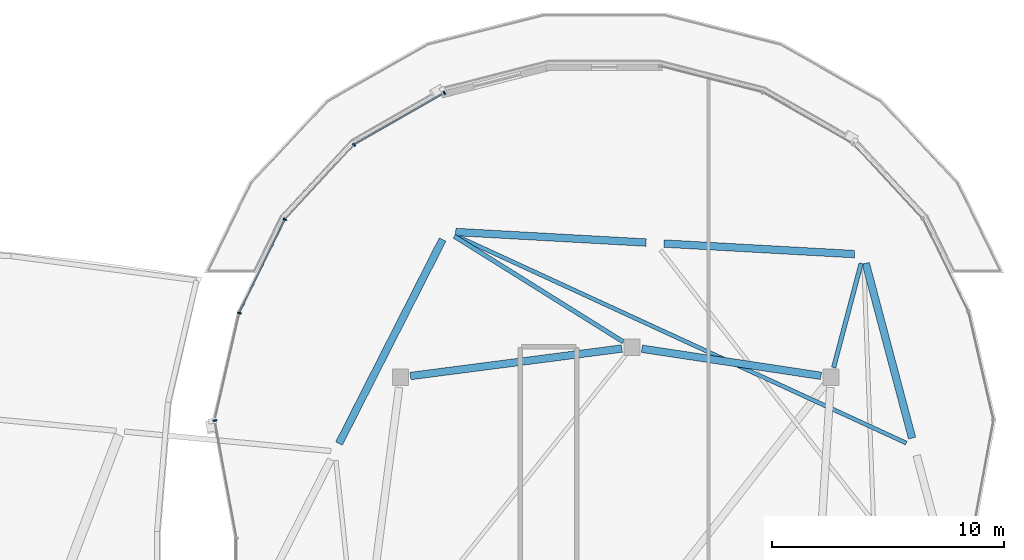
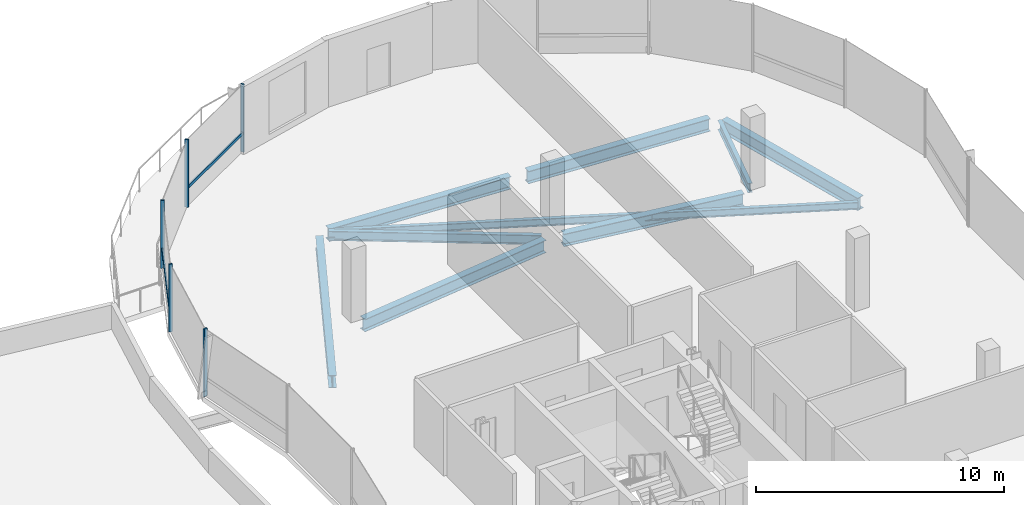
# One storey, part 16 of 31: 9 beams, 7 members, 1 element without a shape of its own.
"""IFC4 building model written with IfcOpenShell, lengths in metres."""

from ifc_helpers import new_model, si_unit, direction, frame, origin, origin_2d, place, context, subcontext, project, spatial, rectangle, i_section, extrude, material, material_profile, profile_set, type_object, element, aggregate, save


model = new_model("IFC4")

# Units and contexts
model_context = context("Model", 3, precision=1e-05, world=origin(), true_north=direction((0.0, 1.0)))
body_context = subcontext(model_context, "Body", "Model", "MODEL_VIEW")
ifc_project = project(units=[si_unit("LENGTHUNIT", "METRE"), si_unit("AREAUNIT", "SQUARE_METRE"), si_unit("VOLUMEUNIT", "CUBIC_METRE"), si_unit("PLANEANGLEUNIT", "RADIAN"), si_unit("MASSUNIT", "GRAM", prefix="KILO"), si_unit("THERMODYNAMICTEMPERATUREUNIT", "KELVIN"), si_unit("POWERUNIT", "WATT")], contexts=[model_context])

# Site, building, storey
site_placement = place(None, origin())
site = spatial("IfcSite", under=ifc_project, at=site_placement, CompositionType="ELEMENT")
building_placement = place(site_placement, origin())
building = spatial("IfcBuilding", under=site, at=building_placement, Name="Cundina Bronze Exchange", CompositionType="ELEMENT")
storey_placement = place(building_placement, frame((0.0, 0.0, 275.60009765625)))
storey = spatial("IfcBuildingStorey", under=building, at=storey_placement, Name="L73", CompositionType="ELEMENT", Elevation=275.60009765625)

# Beams
ifc_material_1 = material(Name="Steel ASTM A992 Grade 50", Category="steel")
ifc_material_profile_1 = material_profile(ifc_material_1, i_section(OverallWidth=0.19091796875, OverallDepth=0.4599609375, WebThickness=0.010009765625, FlangeThickness=0.01611328125, FilletRadius=0.011962890625, at=origin_2d()), Name="W18X55", Category="steel")
ifc_profile_set_1 = profile_set([ifc_material_profile_1], Name="Steel ASTM A992 Grade 50")
beam_type_1 = type_object("IfcBeamType", Name="BM-FLR-W18B", PredefinedType="BEAM", material=ifc_profile_set_1)
beam_1_placement = place(storey_placement, frame((41.911865234375, 9.923583984375, -0.489990234375), z_axis=(0.255383723615, 0.96683977665, 0.0), x_axis=(-0.96683977665, 0.255383723615, 0.0)))
element("IfcBeam", 1, at=beam_1_placement, inside=storey, type_object=beam_type_1, Name="L73 Leg E Chordal Floor Beam 10", PredefinedType="BEAM", context=body_context, shape_type="SweptSolid", body=[
    extrude(i_section(OverallWidth=0.19091796875, OverallDepth=0.4599609375, WebThickness=0.010009765625, FlangeThickness=0.01611328125, FilletRadius=0.011962890625, at=origin_2d()), origin(), (0.0, 0.0, 1.0), 4.655517578125),
])
beam_2_placement = place(storey_placement, frame((32.82861328125, 11.031982421875, -0.489990234375), z_axis=(-0.847983963552, 0.530021884038, 0.0), x_axis=(-0.530021884038, -0.847983963552, 0.0)))
element("IfcBeam", 2, at=beam_2_placement, inside=storey, type_object=beam_type_1, Name="L73 Leg E Chordal Floor Beam 12", PredefinedType="BEAM", context=body_context, shape_type="SweptSolid", body=[
    extrude(i_section(OverallWidth=0.19091796875, OverallDepth=0.4599609375, WebThickness=0.010009765625, FlangeThickness=0.01611328125, FilletRadius=0.011962890625, at=origin_2d()), origin(), (0.0, 0.0, 1.0), 8.608154296875),
])
ifc_material_profile_2 = material_profile(ifc_material_1, i_section(OverallWidth=0.172119140625, OverallDepth=0.35791015625, WebThickness=0.0078125, FlangeThickness=0.01318359375, FilletRadius=0.010009765625, at=origin_2d()), Name="W14X38", Category="steel")
ifc_profile_set_2 = profile_set([ifc_material_profile_2], Name="Steel ASTM A992 Grade 50")
beam_type_2 = type_object("IfcBeamType", Name="BM-JST-W14", PredefinedType="JOIST", material=ifc_profile_set_2)
beam_3_placement = place(storey_placement, frame((45.047607421875, 6.662353515625, -0.439208984375), z_axis=(-0.908356175703, 0.418197391266, 0.0), x_axis=(-0.418197391266, -0.908356175703, 0.0)))
element("IfcBeam", 3, at=beam_3_placement, inside=storey, type_object=beam_type_2, Name="L73 Leg E Lobe Floor Joist 09-12", PredefinedType="JOIST", context=body_context, shape_type="SweptSolid", body=[
    extrude(i_section(OverallWidth=0.172119140625, OverallDepth=0.35791015625, WebThickness=0.0078125, FlangeThickness=0.01318359375, FilletRadius=0.010009765625, at=origin_2d()), origin(), (0.0, 0.0, 1.0), 21.4619140625),
])
ifc_material_profile_3 = material_profile(ifc_material_1, i_section(OverallWidth=0.324951171875, OverallDepth=0.615966796875, WebThickness=0.013916015625, FlangeThickness=0.021484375, FilletRadius=0.01611328125, at=origin_2d()), Name="W24X117", Category="steel")
ifc_profile_set_3 = profile_set([ifc_material_profile_3], Name="Steel ASTM A992 Grade 50")
beam_type_3 = type_object("IfcBeamType", Name="BM-RING-W24", PredefinedType="USERDEFINED", material=ifc_profile_set_3)
beam_4_placement = place(storey_placement, frame((41.366943359375, 9.5654296875, -0.568115234375), z_axis=(-0.988764903598, 0.149478979839, 0.0), x_axis=(-0.149478979839, -0.988764903598, 0.0)))
element("IfcBeam", 4, at=beam_4_placement, inside=storey, type_object=beam_type_3, Name="L73 E Inner Structural Ring Girder 05", ObjectType="GIRDER", PredefinedType="USERDEFINED", context=body_context, shape_type="SweptSolid", body=[
    extrude(i_section(OverallWidth=0.324951171875, OverallDepth=0.615966796875, WebThickness=0.013916015625, FlangeThickness=0.021484375, FilletRadius=0.01611328125, at=origin_2d()), origin(), (0.0, 0.0, 1.0), 7.82177734375),
])
beam_5_placement = place(storey_placement, frame((32.765625, 10.743408203125, -0.568115234375), z_axis=(-0.991656498582, -0.128908451316, 0.0), x_axis=(0.128908451316, -0.991656498582, 0.0)))
element("IfcBeam", 5, at=beam_5_placement, inside=storey, type_object=beam_type_3, Name="L73 E Inner Structural Ring Girder 06", ObjectType="GIRDER", PredefinedType="USERDEFINED", context=body_context, shape_type="SweptSolid", body=[
    extrude(i_section(OverallWidth=0.324951171875, OverallDepth=0.615966796875, WebThickness=0.013916015625, FlangeThickness=0.021484375, FilletRadius=0.01611328125, at=origin_2d()), origin(), (0.0, 0.0, 1.0), 9.208251953125),
])
beam_6_placement = place(storey_placement, frame((45.300537109375, 6.875, -0.568115234375), z_axis=(-0.256212999207, 0.966620348967, 0.0), x_axis=(-0.966620348967, -0.256212999207, 0.0)))
element("IfcBeam", 6, at=beam_6_placement, inside=storey, type_object=beam_type_3, Name="L73 E Perimeter Ring Girder 09", ObjectType="GIRDER", PredefinedType="USERDEFINED", context=body_context, shape_type="SweptSolid", body=[
    extrude(i_section(OverallWidth=0.324951171875, OverallDepth=0.615966796875, WebThickness=0.013916015625, FlangeThickness=0.021484375, FilletRadius=0.01611328125, at=origin_2d()), origin(), (0.0, 0.0, 1.0), 7.810791015625),
])
for number, where, z_axis, x_axis, name in (
    (7, (42.8125, 14.821533203125, -0.568115234375), (-0.998459806018, 0.055479868117, 0.0), (-0.055479868117, -0.998459806018, 0.0), "L73 E Perimeter Ring Girder 10"),
    (8, (33.8125, 15.321533203125, -0.568115234375), (-0.998459806018, 0.055479868117, 0.0), (-0.055479868117, -0.998459806018, 0.0), "L73 E Perimeter Ring Girder 11"),
):
    element("IfcBeam", number, at=place(storey_placement, frame(where, z_axis=z_axis, x_axis=x_axis)), inside=storey, type_object=beam_type_3, Name=name, ObjectType="GIRDER", PredefinedType="USERDEFINED", context=body_context, shape_type="SweptSolid", body=[
        extrude(i_section(OverallWidth=0.324951171875, OverallDepth=0.615966796875, WebThickness=0.013916015625, FlangeThickness=0.021484375, FilletRadius=0.01611328125, at=origin_2d()), origin(), (0.0, 0.0, 1.0), 8.23779296875),
    ])
beam_7_placement = place(storey_placement, frame((25.0244140625, 15.4541015625, -0.568115234375), z_axis=(-0.452839263805, -0.891592171991, 0.0), x_axis=(0.891592171991, -0.452839263805, 0.0)))
element("IfcBeam", 9, at=beam_7_placement, inside=storey, type_object=beam_type_3, Name="L73 E Perimeter Ring Girder 12", ObjectType="GIRDER", PredefinedType="USERDEFINED", context=body_context, shape_type="SweptSolid", body=[
    extrude(i_section(OverallWidth=0.324951171875, OverallDepth=0.615966796875, WebThickness=0.013916015625, FlangeThickness=0.021484375, FilletRadius=0.01611328125, at=origin_2d()), origin(), (0.0, 0.0, 1.0), 9.879150390625),
])

# Curtain wall, members
ifc_material_2 = material(Name="Anodised Bronze Aluminium 6063-T6", Category="aluminium")
curtain_wall_type = type_object("IfcCurtainWallType", Name="CWS-CRN-TMD", PredefinedType="NOTDEFINED", material=ifc_material_2)
curtain_wall_placement = place(storey_placement, origin())
curtain_wall = element("IfcCurtainWall", 10, at=curtain_wall_placement, inside=storey, type_object=curtain_wall_type, Name="L73 CW-07 Curtain Wall Run CWR-L73-E2", PredefinedType="NOTDEFINED")
ifc_material_profile_4 = material_profile(ifc_material_2, rectangle(XDim=0.06494140625, YDim=0.159912109375, at=origin_2d()), Name="AL65X160", Category="aluminium")
ifc_profile_set_4 = profile_set([ifc_material_profile_4], Name="Anodised Bronze Aluminium 6063-T6")
member_type_1 = type_object("IfcMemberType", Name="CWM-MUL-160", PredefinedType="MULLION", material=ifc_profile_set_4)
member_1_placement = place(storey_placement, frame((25.097412109375, 21.78857421875, 0.0), z_axis=(0.0, 0.0, 1.0), x_axis=(-0.867418288651, -0.497579654441, 0.0)))
member_1 = element("IfcMember", 11, at=member_1_placement, type_object=member_type_1, Name="CW-07 Mullion 1", PredefinedType="MULLION", context=body_context, shape_type="SweptSolid", body=[
    extrude(rectangle(XDim=0.06494140625, YDim=0.159912109375, at=origin_2d()), origin(), (0.0, 0.0, 1.0), 3.33984375),
])
member_2_placement = place(storey_placement, frame((21.19921875, 19.54248046875, 0.0), z_axis=(0.0, 0.0, 1.0), x_axis=(-0.681487612702, -0.731829648029, 0.0)))
member_2 = element("IfcMember", 12, at=member_2_placement, type_object=member_type_1, Name="CW-07 Mullion 2", PredefinedType="MULLION", context=body_context, shape_type="SweptSolid", body=[
    extrude(rectangle(XDim=0.06494140625, YDim=0.159912109375, at=origin_2d()), origin(), (0.0, 0.0, 1.0), 3.33984375),
])
member_3_placement = place(storey_placement, frame((18.210693359375, 16.3203125, 0.0), z_axis=(0.0, 0.0, 1.0), x_axis=(-0.439468903432, -0.898257804261, 0.0)))
member_3 = element("IfcMember", 13, at=member_3_placement, type_object=member_type_1, Name="CW-07 Mullion 3", PredefinedType="MULLION", context=body_context, shape_type="SweptSolid", body=[
    extrude(rectangle(XDim=0.06494140625, YDim=0.159912109375, at=origin_2d()), origin(), (0.0, 0.0, 1.0), 3.33984375),
])
member_4_placement = place(storey_placement, frame((16.2412109375, 12.2763671875, 0.0), z_axis=(0.0, 0.0, 1.0), x_axis=(-0.223930573241, -0.974605098677, 0.0)))
member_4 = element("IfcMember", 14, at=member_4_placement, type_object=member_type_1, Name="CW-07 Mullion 4", PredefinedType="MULLION", context=body_context, shape_type="SweptSolid", body=[
    extrude(rectangle(XDim=0.06494140625, YDim=0.159912109375, at=origin_2d()), origin(), (0.0, 0.0, 1.0), 3.33984375),
])
member_5_placement = place(storey_placement, frame((15.1845703125, 7.635498046875, 0.0), z_axis=(0.0, 0.0, 1.0), x_axis=(0.181549039717, -0.983381892338, 0.0)))
member_5 = element("IfcMember", 15, at=member_5_placement, type_object=member_type_1, Name="CW-07 Mullion 5", PredefinedType="MULLION", context=body_context, shape_type="SweptSolid", body=[
    extrude(rectangle(XDim=0.06494140625, YDim=0.159912109375, at=origin_2d()), origin(), (0.0, 0.0, 1.0), 3.33984375),
])
ifc_material_profile_5 = material_profile(ifc_material_2, rectangle(XDim=0.06494140625, YDim=0.14990234375, at=origin_2d()), Name="AL65X150", Category="aluminium")
ifc_profile_set_5 = profile_set([ifc_material_profile_5], Name="Anodised Bronze Aluminium 6063-T6")
member_type_2 = type_object("IfcMemberType", Name="CWM-TRN-150", PredefinedType="USERDEFINED", material=ifc_profile_set_5)
member_6_placement = place(storey_placement, frame((25.06640625, 21.770751953125, 0.919921875), z_axis=(-0.867467147117, -0.497494470997, 0.0), x_axis=(0.497494470997, -0.867467147117, 0.0)))
member_6 = element("IfcMember", 16, at=member_6_placement, type_object=member_type_2, Name="CW-07 Spandrel Transom 1", ObjectType="TRANSOM", PredefinedType="USERDEFINED", context=body_context, shape_type="SweptSolid", body=[
    extrude(rectangle(XDim=0.06494140625, YDim=0.14990234375, at=origin_2d()), origin(), (0.0, 0.0, 1.0), 4.439697265625),
])
member_7_placement = place(storey_placement, frame((18.195068359375, 16.2880859375, 0.919921875), z_axis=(-0.439416660299, -0.898283362114, 0.0), x_axis=(0.898283362114, -0.439416660299, 0.0)))
member_7 = element("IfcMember", 17, at=member_7_placement, type_object=member_type_2, Name="CW-07 Spandrel Transom 3", ObjectType="TRANSOM", PredefinedType="USERDEFINED", context=body_context, shape_type="SweptSolid", body=[
    extrude(rectangle(XDim=0.06494140625, YDim=0.14990234375, at=origin_2d()), origin(), (0.0, 0.0, 1.0), 4.430908203125),
])
aggregate(curtain_wall, [member_1, member_6, member_2, member_3, member_7, member_4, member_5])

save(model, "model.ifc")
